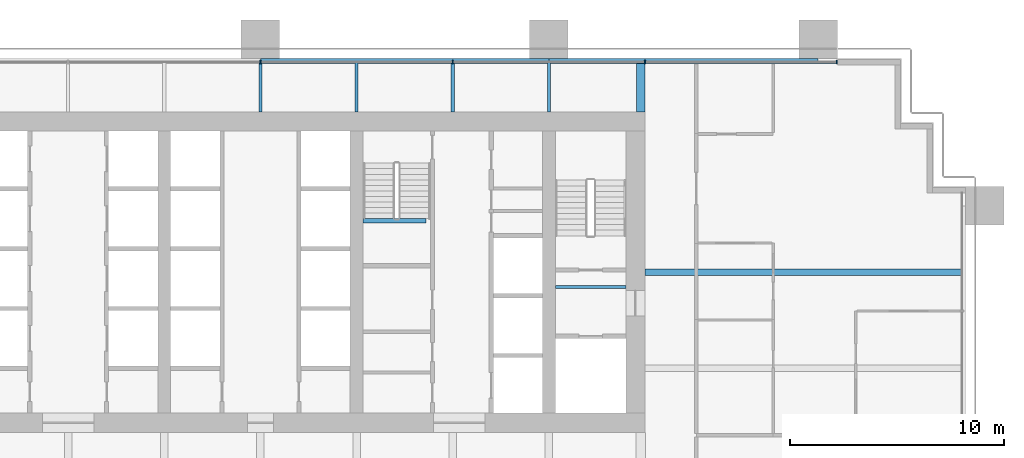
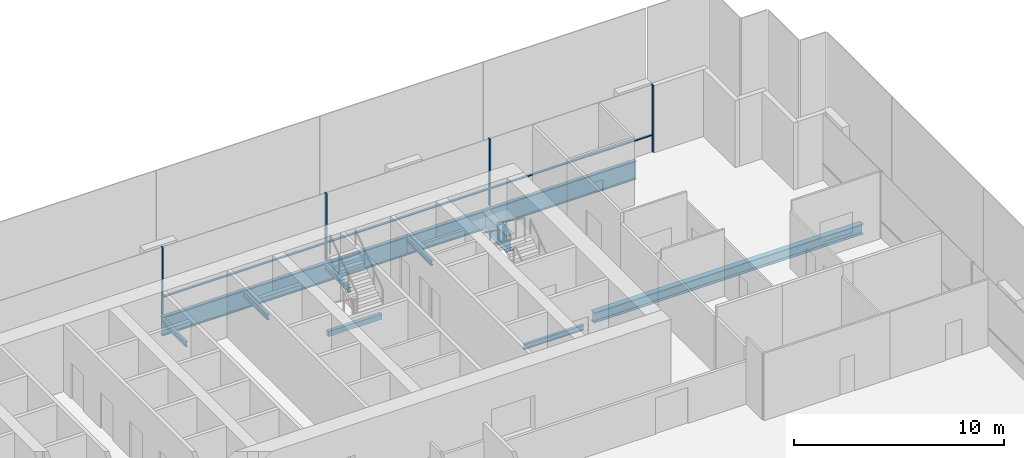
# One storey, part 8 of 17: 10 beams, 7 members, 1 element without a shape of its own.
"""IFC4 building model written with IfcOpenShell, lengths in metres."""

from ifc_helpers import new_model, si_unit, direction, frame, origin, origin_2d, place, context, subcontext, project, spatial, rectangle, i_section, extrude, material, material_profile, profile_set, type_object, element, aggregate, save


model = new_model("IFC4")

# Units and contexts
model_context = context("Model", 3, precision=1e-05, world=origin(), true_north=direction((0.0, 1.0)))
body_context = subcontext(model_context, "Body", "Model", "MODEL_VIEW")
ifc_project = project(units=[si_unit("LENGTHUNIT", "METRE"), si_unit("AREAUNIT", "SQUARE_METRE"), si_unit("VOLUMEUNIT", "CUBIC_METRE"), si_unit("PLANEANGLEUNIT", "RADIAN"), si_unit("MASSUNIT", "GRAM", prefix="KILO")], contexts=[model_context])

# Site, building, storey
site_placement = place(None, origin())
site = spatial("IfcSite", under=ifc_project, at=site_placement, CompositionType="ELEMENT")
building_placement = place(site_placement, origin())
building = spatial("IfcBuilding", under=site, at=building_placement, Name="Rattan Terrace Tower", CompositionType="ELEMENT")
storey_placement = place(building_placement, frame((0.0, 0.0, 44.699951171875)))
storey = spatial("IfcBuildingStorey", under=building, at=storey_placement, Name="L09", CompositionType="ELEMENT", Elevation=44.699951171875)

# Beam
ifc_material_1 = material(Name="Concrete C40/50", Category="concrete")
ifc_material_profile_1 = material_profile(ifc_material_1, rectangle(XDim=0.199951171875, YDim=0.300048828125, at=origin_2d()), Name="RC 200x300")
ifc_profile_set_1 = profile_set([ifc_material_profile_1], Name="Concrete C40/50")
beam_type_1 = type_object("IfcBeamType", Name="Core landing beam RC 200x300", PredefinedType="BEAM", material=ifc_profile_set_1)
beam_1_placement = place(storey_placement, frame((4.800048828125, 2.39990234375, 1.699951171875), z_axis=(1.0, 0.0, 0.0), x_axis=(0.0, 1.0, 0.0)))
element("IfcBeam", 1, at=beam_1_placement, inside=storey, type_object=beam_type_1, Name="st-S3-L09 landing 1 edge beam", PredefinedType="BEAM", context=body_context, shape_type="SweptSolid", body=[
    extrude(rectangle(XDim=0.199951171875, YDim=0.300048828125, at=origin_2d()), origin(), (0.0, 0.0, 1.0), 2.949951171875),
])

# Curtain wall, members
ifc_material_2 = material(Name="Aluminium and glass", Category="aluminium")
curtain_wall_type = type_object("IfcCurtainWallType", Name="Facade Unitised Curtain Wall", PredefinedType="NOTDEFINED", material=ifc_material_2)
curtain_wall_placement = place(storey_placement, origin())
curtain_wall = element("IfcCurtainWall", 2, at=curtain_wall_placement, inside=storey, type_object=curtain_wall_type, Name="Curtain wall L09-2", PredefinedType="NOTDEFINED")
ifc_material_3 = material(Name="Aluminium", Category="aluminium")
ifc_material_profile_2 = material_profile(ifc_material_3, rectangle(XDim=0.06005859375, YDim=0.159912109375, at=origin_2d()), Name="Aluminium 60x160")
ifc_profile_set_2 = profile_set([ifc_material_profile_2], Name="Aluminium")
member_type_1 = type_object("IfcMemberType", Name="Facade CW Mullion 60x160", PredefinedType="MULLION", material=ifc_profile_set_2)
member_1_placement = place(storey_placement, frame((26.969970703125, 9.830078125, 0.0), z_axis=(0.0, 0.0, 1.0), x_axis=(-1.0, 0.0, 0.0)))
member_1 = element("IfcMember", 3, at=member_1_placement, type_object=member_type_1, Name="Mullion cwl-L09-002.1", PredefinedType="MULLION", context=body_context, shape_type="SweptSolid", body=[
    extrude(rectangle(XDim=0.06005859375, YDim=0.159912109375, at=origin_2d()), origin(), (0.0, 0.0, 1.0), 3.900146484375),
])
member_2_placement = place(storey_placement, frame((18.0, 9.830078125, 0.0), z_axis=(0.0, 0.0, 1.0), x_axis=(-1.0, 0.0, 0.0)))
member_2 = element("IfcMember", 4, at=member_2_placement, type_object=member_type_1, Name="Mullion cwl-L09-002.2", PredefinedType="MULLION", context=body_context, shape_type="SweptSolid", body=[
    extrude(rectangle(XDim=0.06005859375, YDim=0.159912109375, at=origin_2d()), origin(), (0.0, 0.0, 1.0), 3.900146484375),
])
member_3_placement = place(storey_placement, frame((9.0, 9.830078125, 0.0), z_axis=(0.0, 0.0, 1.0), x_axis=(-1.0, 0.0, 0.0)))
member_3 = element("IfcMember", 5, at=member_3_placement, type_object=member_type_1, Name="Mullion cwl-L09-002.3", PredefinedType="MULLION", context=body_context, shape_type="SweptSolid", body=[
    extrude(rectangle(XDim=0.06005859375, YDim=0.159912109375, at=origin_2d()), origin(), (0.0, 0.0, 1.0), 3.900146484375),
])
member_4_placement = place(storey_placement, frame((0.0, 9.830078125, 0.0), z_axis=(0.0, 0.0, 1.0), x_axis=(-1.0, 0.0, 0.0)))
member_4 = element("IfcMember", 6, at=member_4_placement, type_object=member_type_1, Name="Mullion cwl-L09-002.4", PredefinedType="MULLION", context=body_context, shape_type="SweptSolid", body=[
    extrude(rectangle(XDim=0.06005859375, YDim=0.159912109375, at=origin_2d()), origin(), (0.0, 0.0, 1.0), 3.900146484375),
])
ifc_material_4 = material(Name="Aluminium", Category="aluminium")
ifc_material_profile_3 = material_profile(ifc_material_4, rectangle(XDim=0.1201171875, YDim=0.06005859375, at=origin_2d()), Name="Aluminium 120x60")
ifc_profile_set_3 = profile_set([ifc_material_profile_3], Name="Aluminium")
member_type_2 = type_object("IfcMemberType", Name="Facade CW Transom 120x60", PredefinedType="USERDEFINED", material=ifc_profile_set_3)
member_5_placement = place(storey_placement, frame((26.93994140625, 9.830078125, 1.0), z_axis=(-1.0, 0.0, 0.0), x_axis=(0.0, -1.0, 0.0)))
member_5 = element("IfcMember", 7, at=member_5_placement, type_object=member_type_2, Name="Transom cwl-L09-002.1", ObjectType="TRANSOM", PredefinedType="USERDEFINED", context=body_context, shape_type="SweptSolid", body=[
    extrude(rectangle(XDim=0.1201171875, YDim=0.06005859375, at=origin_2d()), origin(), (0.0, 0.0, 1.0), 8.909912109375),
])
member_6_placement = place(storey_placement, frame((17.969970703125, 9.830078125, 1.0), z_axis=(-1.0, 0.0, 0.0), x_axis=(0.0, -1.0, 0.0)))
member_6 = element("IfcMember", 8, at=member_6_placement, type_object=member_type_2, Name="Transom cwl-L09-002.2", ObjectType="TRANSOM", PredefinedType="USERDEFINED", context=body_context, shape_type="SweptSolid", body=[
    extrude(rectangle(XDim=0.1201171875, YDim=0.06005859375, at=origin_2d()), origin(), (0.0, 0.0, 1.0), 8.93994140625),
])
member_7_placement = place(storey_placement, frame((8.969970703125, 9.830078125, 1.0), z_axis=(-1.0, 0.0, 0.0), x_axis=(0.0, -1.0, 0.0)))
member_7 = element("IfcMember", 9, at=member_7_placement, type_object=member_type_2, Name="Transom cwl-L09-002.3", ObjectType="TRANSOM", PredefinedType="USERDEFINED", context=body_context, shape_type="SweptSolid", body=[
    extrude(rectangle(XDim=0.1201171875, YDim=0.06005859375, at=origin_2d()), origin(), (0.0, 0.0, 1.0), 8.93994140625),
])
aggregate(curtain_wall, [member_1, member_2, member_3, member_4, member_5, member_6, member_7])

# Beams
ifc_material_5 = material(Name="Steel S460", Category="steel")
ifc_material_profile_4 = material_profile(ifc_material_5, i_section(OverallWidth=0.39990234375, OverallDepth=1.0, WebThickness=0.01806640625, FlangeThickness=0.044921875, at=origin_2d()), Name="PG 1000x400-18-45")
ifc_profile_set_4 = profile_set([ifc_material_profile_4], Name="Steel S460")
beam_type_2 = type_object("IfcBeamType", Name="Frame core girder PG 1000x400-18-45", PredefinedType="BEAM", material=ifc_profile_set_4)
beam_2_placement = place(storey_placement, frame((17.800048828125, 7.5, -0.699951171875), z_axis=(0.0, 1.0, 0.0), x_axis=(-1.0, 0.0, 0.0)))
element("IfcBeam", 10, at=beam_2_placement, inside=storey, type_object=beam_type_2, Name="gdr-L09-016", PredefinedType="BEAM", context=body_context, shape_type="SweptSolid", body=[
    extrude(i_section(OverallWidth=0.39990234375, OverallDepth=1.0, WebThickness=0.01806640625, FlangeThickness=0.044921875, at=origin_2d()), origin(), (0.0, 0.0, 1.0), 2.320068359375),
])
ifc_material_6 = material(Name="Steel S460", Category="steel")
ifc_material_profile_5 = material_profile(ifc_material_6, i_section(OverallWidth=0.179931640625, OverallDepth=1.10009765625, WebThickness=0.01611328125, FlangeThickness=0.050048828125, at=origin_2d()), Name="PG 1100x180-16-50")
ifc_profile_set_5 = profile_set([ifc_material_profile_5], Name="Steel S460")
beam_type_3 = type_object("IfcBeamType", Name="Frame edge girder PG 1100x180-16-50", PredefinedType="SPANDREL", material=ifc_profile_set_5)
beam_3_placement = place(storey_placement, frame((13.5, 9.909912109375, -0.75), z_axis=(-1.0, 0.0, 0.0), x_axis=(0.0, -1.0, 0.0)))
element("IfcBeam", 11, at=beam_3_placement, inside=storey, type_object=beam_type_3, Name="gdr-L09-011", PredefinedType="SPANDREL", context=body_context, shape_type="SweptSolid", body=[
    extrude(i_section(OverallWidth=0.179931640625, OverallDepth=1.10009765625, WebThickness=0.01611328125, FlangeThickness=0.050048828125, at=origin_2d()), origin(), (0.0, 0.0, 1.0), 13.5),
])
beam_4_placement = place(storey_placement, frame((26.10009765625, 9.909912109375, -0.75), z_axis=(-1.0, 0.0, 0.0), x_axis=(0.0, -1.0, 0.0)))
element("IfcBeam", 12, at=beam_4_placement, inside=storey, type_object=beam_type_3, Name="gdr-L09-012", PredefinedType="SPANDREL", context=body_context, shape_type="SweptSolid", body=[
    extrude(i_section(OverallWidth=0.179931640625, OverallDepth=1.10009765625, WebThickness=0.01611328125, FlangeThickness=0.050048828125, at=origin_2d()), origin(), (0.0, 0.0, 1.0), 12.60009765625),
])
ifc_material_7 = material(Name="Steel S355", Category="steel")
ifc_material_profile_6 = material_profile(ifc_material_7, i_section(OverallWidth=0.300048828125, OverallDepth=0.60009765625, WebThickness=0.015380859375, FlangeThickness=0.030029296875, FilletRadius=0.027099609375, at=origin_2d()), Name="HE 600 B")
ifc_profile_set_6 = profile_set([ifc_material_profile_6], Name="Steel S355")
beam_type_4 = type_object("IfcBeamType", Name="Frame floor beam HE 600 B", PredefinedType="JOIST", material=ifc_profile_set_6)
beam_5_placement = place(storey_placement, frame((18.0, 0.0, -0.5), z_axis=(1.0, 0.0, 0.0), x_axis=(0.0, 1.0, 0.0)))
element("IfcBeam", 13, at=beam_5_placement, inside=storey, type_object=beam_type_4, Name="bm-L09-023", PredefinedType="JOIST", context=body_context, shape_type="SweptSolid", body=[
    extrude(i_section(OverallWidth=0.300048828125, OverallDepth=0.60009765625, WebThickness=0.015380859375, FlangeThickness=0.030029296875, FilletRadius=0.027099609375, at=origin_2d()), origin(), (0.0, 0.0, 1.0), 14.820068359375),
])
ifc_material_8 = material(Name="Steel S355", Category="steel")
ifc_material_profile_7 = material_profile(ifc_material_8, i_section(OverallWidth=0.14990234375, OverallDepth=0.300048828125, WebThickness=0.007080078125, FlangeThickness=0.0107421875, FilletRadius=0.014892578125, at=origin_2d()), Name="IPE 300")
ifc_profile_set_7 = profile_set([ifc_material_profile_7], Name="Steel S355")
beam_type_5 = type_object("IfcBeamType", Name="Frame floor beam IPE 300", PredefinedType="JOIST", material=ifc_profile_set_7)
beam_6_placement = place(storey_placement, frame((13.800048828125, -0.695068359375, -0.349853515625), z_axis=(1.0, 0.0, 0.0), x_axis=(0.0, 1.0, 0.0)))
element("IfcBeam", 14, at=beam_6_placement, inside=storey, type_object=beam_type_5, Name="bm-L09-002", PredefinedType="JOIST", context=body_context, shape_type="SweptSolid", body=[
    extrude(i_section(OverallWidth=0.14990234375, OverallDepth=0.300048828125, WebThickness=0.007080078125, FlangeThickness=0.0107421875, FilletRadius=0.014892578125, at=origin_2d()), origin(), (0.0, 0.0, 1.0), 3.300048828125),
])
for number, where, z_axis, x_axis, name in (
    (15, (0.0, 7.5, -0.349853515625), (0.0, 1.0, 0.0), (-1.0, 0.0, 0.0), "bm-L09-027"),
    (16, (4.5, 7.5, -0.349853515625), (0.0, 1.0, 0.0), (-1.0, 0.0, 0.0), "bm-L09-028"),
    (17, (9.0, 7.5, -0.349853515625), (0.0, 1.0, 0.0), (-1.0, 0.0, 0.0), "bm-L09-029"),
    (18, (13.5, 7.5, -0.349853515625), (0.0, 1.0, 0.0), (-1.0, 0.0, 0.0), "bm-L09-030"),
):
    element("IfcBeam", number, at=place(storey_placement, frame(where, z_axis=z_axis, x_axis=x_axis)), inside=storey, type_object=beam_type_5, Name=name, PredefinedType="JOIST", context=body_context, shape_type="SweptSolid", body=[
        extrude(i_section(OverallWidth=0.14990234375, OverallDepth=0.300048828125, WebThickness=0.007080078125, FlangeThickness=0.0107421875, FilletRadius=0.014892578125, at=origin_2d()), origin(), (0.0, 0.0, 1.0), 2.320068359375),
    ])

save(model, "model.ifc")
